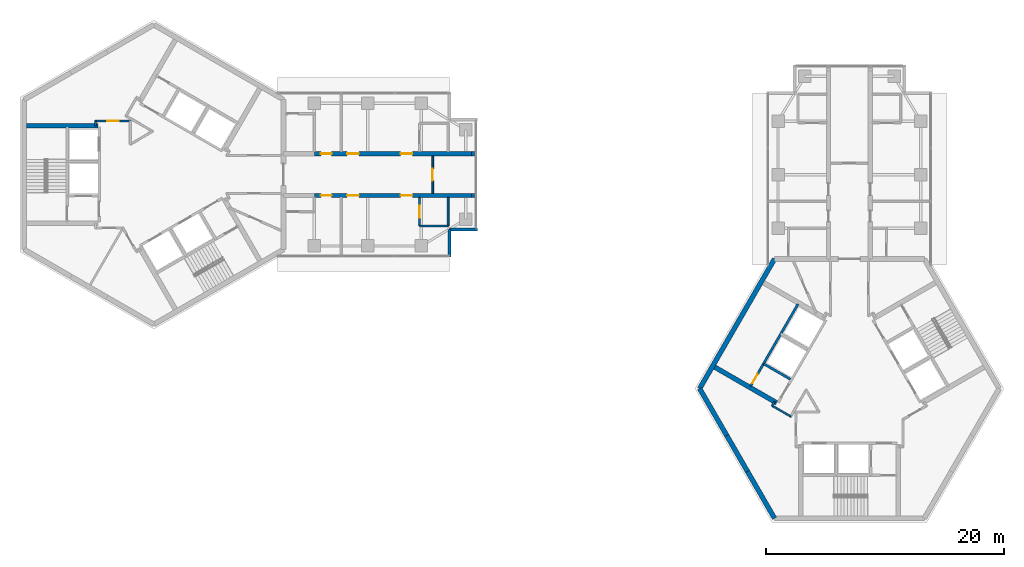
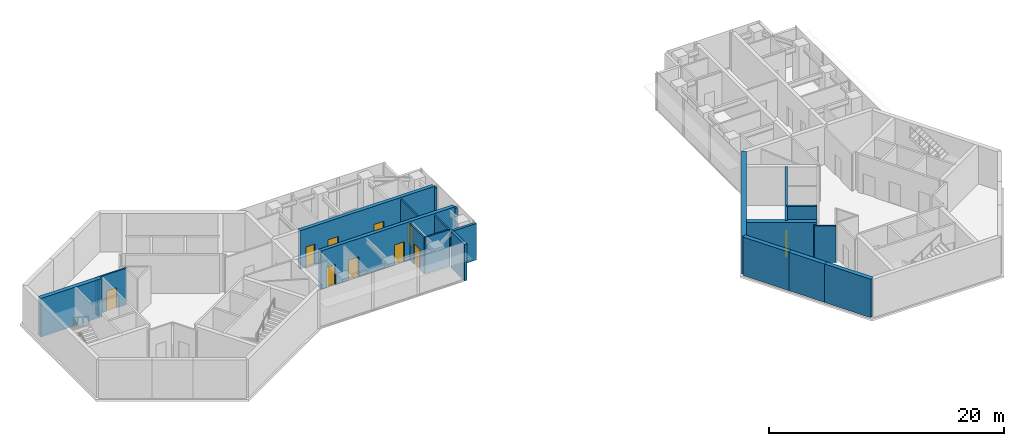
# One storey, part 6 of 11: 22 walls, 10 doors, 10 openings.
"""IFC4 building model written with IfcOpenShell, lengths in metres."""

from ifc_helpers import new_model, si_unit, direction, frame, frame_2d, origin, place, context, subcontext, project, spatial, rectangle, extrude, material, layer, layer_set, type_object, element, fill, save


model = new_model("IFC4")

# Units and contexts
model_context = context("Model", 3, precision=1e-05, world=origin(), true_north=direction((0.0, 1.0)))
body_context = subcontext(model_context, "Body", "Model", "MODEL_VIEW")
ifc_project = project(units=[si_unit("LENGTHUNIT", "METRE"), si_unit("AREAUNIT", "SQUARE_METRE"), si_unit("VOLUMEUNIT", "CUBIC_METRE"), si_unit("PLANEANGLEUNIT", "RADIAN"), si_unit("MASSUNIT", "GRAM", prefix="KILO")], contexts=[model_context])

# Site, building, storey
site_placement = place(None, origin())
site = spatial("IfcSite", under=ifc_project, at=site_placement, CompositionType="ELEMENT")
building_placement = place(site_placement, origin())
building = spatial("IfcBuilding", under=site, at=building_placement, Name="Upepo Twin Towers", CompositionType="ELEMENT")
storey_placement = place(building_placement, frame((0.0, 0.0, 247.5)))
storey = spatial("IfcBuildingStorey", under=building, at=storey_placement, Name="L60", CompositionType="ELEMENT", Elevation=247.5)

# Walls
ifc_material_1 = material(Name="Dense concrete blockwork", Category="masonry")
ifc_layer_1 = layer(ifc_material_1, 0.35009765625)
ifc_layer_set_1 = layer_set([ifc_layer_1], Name="Buttress closer 350, blockwork with fire-stopping to the curtain wall")
wall_type_1 = type_object("IfcWallType", Name="Buttress closer 350, blockwork with fire-stopping to the curtain wall", PredefinedType="PARTITIONING", material=ifc_layer_set_1)
for number, where, z_axis, x_axis, name in (
    (1, (26.699951171875, 1.75, 0.0), (0.0, 0.0, 1.0), (1.0, 0.0, 0.0), "T1 L60 wing A buttress closer L"),
    (2, (26.699951171875, -1.75, 0.0), (0.0, 0.0, 1.0), (1.0, 0.0, 0.0), "T1 L60 wing A buttress closer R"),
):
    element("IfcWall", number, at=place(storey_placement, frame(where, z_axis=z_axis, x_axis=x_axis)), inside=storey, type_object=wall_type_1, Name=name, PredefinedType="PARTITIONING", context=body_context, shape_type="SweptSolid", body=[
        extrude(rectangle(XDim=0.275146484375, YDim=0.35009765625, at=frame_2d((0.1376953125, 0.0))), origin(), (0.0, 0.0, 1.0), 3.800048828125),
    ])

# Wall, openings, doors
ifc_material_2 = material(Name="Concrete C60/75", Category="concrete")
ifc_layer_2 = layer(ifc_material_2, 0.35009765625)
ifc_layer_set_2 = layer_set([ifc_layer_2], Name="Concrete C60/75")
wall_type_2 = type_object("IfcWallType", Name="Buttress wall 350 RC", PredefinedType="SHEAR", material=ifc_layer_set_2)
wall_1_placement = place(storey_placement, frame((13.5, 1.75, 0.0), z_axis=(0.0, 0.0, 1.0), x_axis=(1.0, 0.0, 0.0)))
wall_1 = element("IfcWall", 3, at=wall_1_placement, inside=storey, type_object=wall_type_2, Name="T1 wing A buttress wall L part 2", PredefinedType="SHEAR", context=body_context, shape_type="SweptSolid", body=[
    extrude(rectangle(XDim=13.199951171875, YDim=0.35009765625, at=frame_2d((6.60009765625, 0.0))), origin(), (0.0, 0.0, 1.0), 4.0),
])
opening_1_placement = place(wall_1_placement, frame((0.550048828125, 0.0, 0.0)))
opening_1 = element("IfcOpeningElement", 4, at=opening_1_placement, cuts=wall_1, Name="Opening D11", PredefinedType="OPENING", context=body_context, shape_type="SweptSolid", body=[
    extrude(rectangle(XDim=0.89990234375, YDim=2.10009765625, at=frame_2d((0.449951171875, 1.050048828125))), frame((0.0, 0.18505859375, 0.0), z_axis=(0.0, -1.0, 0.0), x_axis=(1.0, 0.0, 0.0)), (0.0, 0.0, 1.0), 0.3701171875),
])
opening_2_placement = place(wall_1_placement, frame((2.75, 0.0, 0.0)))
opening_2 = element("IfcOpeningElement", 5, at=opening_2_placement, cuts=wall_1, Name="Opening D1", PredefinedType="OPENING", context=body_context, shape_type="SweptSolid", body=[
    extrude(rectangle(XDim=1.0, YDim=2.10009765625, at=frame_2d((0.5, 1.050048828125))), frame((0.0, 0.18505859375, 0.0), z_axis=(0.0, -1.0, 0.0), x_axis=(1.0, 0.0, 0.0)), (0.0, 0.0, 1.0), 0.3701171875),
])
opening_3_placement = place(wall_1_placement, frame((7.25, 0.0, 0.0)))
opening_3 = element("IfcOpeningElement", 6, at=opening_3_placement, cuts=wall_1, Name="Opening D1", PredefinedType="OPENING", context=body_context, shape_type="SweptSolid", body=[
    extrude(rectangle(XDim=1.0, YDim=2.10009765625, at=frame_2d((0.5, 1.050048828125))), frame((0.0, 0.18505859375, 0.0), z_axis=(0.0, -1.0, 0.0), x_axis=(1.0, 0.0, 0.0)), (0.0, 0.0, 1.0), 0.3701171875),
])
ifc_material_3 = material(Name="Timber doorset", Category="wood")
door_type_1 = type_object("IfcDoorType", Name="Room door 1000 FD30", OperationType="SINGLE_SWING_LEFT", PredefinedType="DOOR", material=ifc_material_3)
door_1_placement = place(opening_2_placement, origin())
door_1 = element("IfcDoor", 7, at=door_1_placement, inside=storey, type_object=door_type_1, Name="T1 L60 open-plan office door", OperationType="SINGLE_SWING_LEFT", OverallHeight=2.10009765625, OverallWidth=1.0, PredefinedType="DOOR", context=body_context, shape_type="SweptSolid", body=[
    extrude(rectangle(XDim=1.0, YDim=2.10009765625, at=frame_2d((0.5, 1.050048828125))), frame((0.0, 0.02490234375, 0.0), z_axis=(0.0, -1.0, 0.0), x_axis=(1.0, 0.0, 0.0)), (0.0, 0.0, 1.0), 0.050048828125),
])
fill(opening_2, door_1)
door_2_placement = place(opening_3_placement, origin())
door_2 = element("IfcDoor", 8, at=door_2_placement, inside=storey, type_object=door_type_1, Name="T1 L60 open-plan office door", OperationType="SINGLE_SWING_RIGHT", OverallHeight=2.10009765625, OverallWidth=1.0, PredefinedType="DOOR", context=body_context, shape_type="SweptSolid", body=[
    extrude(rectangle(XDim=1.0, YDim=2.10009765625, at=frame_2d((0.5, 1.050048828125))), frame((0.0, 0.02490234375, 0.0), z_axis=(0.0, -1.0, 0.0), x_axis=(1.0, 0.0, 0.0)), (0.0, 0.0, 1.0), 0.050048828125),
])
fill(opening_3, door_2)
ifc_material_4 = material(Name="Timber doorset", Category="wood")
door_type_2 = type_object("IfcDoorType", Name="Toilet door 900", OperationType="SINGLE_SWING_LEFT", PredefinedType="DOOR", material=ifc_material_4)
door_3_placement = place(opening_1_placement, origin())
door_3 = element("IfcDoor", 9, at=door_3_placement, inside=storey, type_object=door_type_2, Name="T1 L60 accessible wc door", OperationType="SINGLE_SWING_LEFT", OverallHeight=2.10009765625, OverallWidth=0.89990234375, PredefinedType="DOOR", context=body_context, shape_type="SweptSolid", body=[
    extrude(rectangle(XDim=0.89990234375, YDim=2.10009765625, at=frame_2d((0.449951171875, 1.050048828125))), frame((0.0, 0.02490234375, 0.0), z_axis=(0.0, -1.0, 0.0), x_axis=(1.0, 0.0, 0.0)), (0.0, 0.0, 1.0), 0.050048828125),
])
fill(opening_1, door_3)

wall_2_placement = place(storey_placement, frame((13.5, -1.75, 0.0), z_axis=(0.0, 0.0, 1.0), x_axis=(1.0, 0.0, 0.0)))
wall_2 = element("IfcWall", 10, at=wall_2_placement, inside=storey, type_object=wall_type_2, Name="T1 wing A buttress wall R part 2", PredefinedType="SHEAR", context=body_context, shape_type="SweptSolid", body=[
    extrude(rectangle(XDim=13.199951171875, YDim=0.35009765625, at=frame_2d((6.60009765625, 0.0))), origin(), (0.0, 0.0, 1.0), 4.0),
])
opening_4_placement = place(wall_2_placement, frame((0.550048828125, 0.0, 0.0)))
opening_4 = element("IfcOpeningElement", 11, at=opening_4_placement, cuts=wall_2, Name="Opening D11", PredefinedType="OPENING", context=body_context, shape_type="SweptSolid", body=[
    extrude(rectangle(XDim=0.89990234375, YDim=2.10009765625, at=frame_2d((0.449951171875, 1.050048828125))), frame((0.0, 0.18505859375, 0.0), z_axis=(0.0, -1.0, 0.0), x_axis=(1.0, 0.0, 0.0)), (0.0, 0.0, 1.0), 0.3701171875),
])
opening_5_placement = place(wall_2_placement, frame((2.75, 0.0, 0.0)))
opening_5 = element("IfcOpeningElement", 12, at=opening_5_placement, cuts=wall_2, Name="Opening D1", PredefinedType="OPENING", context=body_context, shape_type="SweptSolid", body=[
    extrude(rectangle(XDim=1.0, YDim=2.10009765625, at=frame_2d((0.5, 1.050048828125))), frame((0.0, 0.18505859375, 0.0), z_axis=(0.0, -1.0, 0.0), x_axis=(1.0, 0.0, 0.0)), (0.0, 0.0, 1.0), 0.3701171875),
])
opening_6_placement = place(wall_2_placement, frame((7.25, 0.0, 0.0)))
opening_6 = element("IfcOpeningElement", 13, at=opening_6_placement, cuts=wall_2, Name="Opening D1", PredefinedType="OPENING", context=body_context, shape_type="SweptSolid", body=[
    extrude(rectangle(XDim=1.0, YDim=2.10009765625, at=frame_2d((0.5, 1.050048828125))), frame((0.0, 0.18505859375, 0.0), z_axis=(0.0, -1.0, 0.0), x_axis=(1.0, 0.0, 0.0)), (0.0, 0.0, 1.0), 0.3701171875),
])
door_4_placement = place(opening_5_placement, origin())
door_4 = element("IfcDoor", 14, at=door_4_placement, inside=storey, type_object=door_type_1, Name="T1 L60 open-plan office door", OperationType="SINGLE_SWING_LEFT", OverallHeight=2.10009765625, OverallWidth=1.0, PredefinedType="DOOR", context=body_context, shape_type="SweptSolid", body=[
    extrude(rectangle(XDim=1.0, YDim=2.10009765625, at=frame_2d((0.5, 1.050048828125))), frame((0.0, 0.02490234375, 0.0), z_axis=(0.0, -1.0, 0.0), x_axis=(1.0, 0.0, 0.0)), (0.0, 0.0, 1.0), 0.050048828125),
])
fill(opening_5, door_4)
door_5_placement = place(opening_6_placement, origin())
door_5 = element("IfcDoor", 15, at=door_5_placement, inside=storey, type_object=door_type_1, Name="T1 L60 open-plan office door", OperationType="SINGLE_SWING_RIGHT", OverallHeight=2.10009765625, OverallWidth=1.0, PredefinedType="DOOR", context=body_context, shape_type="SweptSolid", body=[
    extrude(rectangle(XDim=1.0, YDim=2.10009765625, at=frame_2d((0.5, 1.050048828125))), frame((0.0, 0.02490234375, 0.0), z_axis=(0.0, -1.0, 0.0), x_axis=(1.0, 0.0, 0.0)), (0.0, 0.0, 1.0), 0.050048828125),
])
fill(opening_6, door_5)
door_6_placement = place(opening_4_placement, origin())
door_6 = element("IfcDoor", 16, at=door_6_placement, inside=storey, type_object=door_type_2, Name="T1 L60 toilets door", OperationType="SINGLE_SWING_LEFT", OverallHeight=2.10009765625, OverallWidth=0.89990234375, PredefinedType="DOOR", context=body_context, shape_type="SweptSolid", body=[
    extrude(rectangle(XDim=0.89990234375, YDim=2.10009765625, at=frame_2d((0.449951171875, 1.050048828125))), frame((0.0, 0.02490234375, 0.0), z_axis=(0.0, -1.0, 0.0), x_axis=(1.0, 0.0, 0.0)), (0.0, 0.0, 1.0), 0.050048828125),
])
fill(opening_4, door_6)

# Walls
ifc_material_5 = material(Name="Concrete C60/75", Category="concrete")
ifc_layer_3 = layer(ifc_material_5, 0.39990234375)
ifc_layer_set_3 = layer_set([ifc_layer_3], Name="Concrete C60/75")
wall_type_3 = type_object("IfcWallType", Name="Core wall 400 RC", PredefinedType="SHEAR", material=ifc_layer_set_3)
wall_3_placement = place(storey_placement, frame((52.2021484375, -7.091552734375, 0.0), z_axis=(0.0, 0.0, 1.0), x_axis=(-0.500005998175, -0.866021940709, 0.0)))
element("IfcWall", 17, at=wall_3_placement, inside=storey, type_object=wall_type_3, Name="T2 core wall 060", PredefinedType="SHEAR", context=body_context, shape_type="SweptSolid", body=[
    extrude(rectangle(XDim=12.595947265625, YDim=0.39990234375, at=frame_2d((6.2978515625, 0.0))), origin(), (0.0, 0.0, 1.0), 4.0),
])
wall_4_placement = place(storey_placement, frame((45.904052734375, -18.0, 0.0), z_axis=(0.0, 0.0, 1.0), x_axis=(0.500024481964, -0.866011268655, 0.0)))
element("IfcWall", 18, at=wall_4_placement, inside=storey, type_object=wall_type_3, Name="T2 core wall 120 R", PredefinedType="SHEAR", context=body_context, shape_type="SweptSolid", body=[
    extrude(rectangle(XDim=4.548095703125, YDim=0.39990234375, at=frame_2d((2.27392578125, 0.0))), origin(), (0.0, 0.0, 1.0), 4.0),
])
wall_5_placement = place(storey_placement, frame((48.17822265625, -21.938720703125, 0.0), z_axis=(0.0, 0.0, 1.0), x_axis=(0.500010275428, -0.866019471182, 0.0)))
element("IfcWall", 19, at=wall_5_placement, inside=storey, type_object=wall_type_3, Name="T2 core wall 120", PredefinedType="SHEAR", context=body_context, shape_type="SweptSolid", body=[
    extrude(rectangle(XDim=3.5, YDim=0.39990234375, at=frame_2d((1.75, 0.0))), origin(), (0.0, 0.0, 1.0), 4.0),
])
wall_6_placement = place(storey_placement, frame((49.92822265625, -24.9697265625, 0.0), z_axis=(0.0, 0.0, 1.0), x_axis=(0.499984222037, -0.866034513004, 0.0)))
element("IfcWall", 20, at=wall_6_placement, inside=storey, type_object=wall_type_3, Name="T2 core wall 120 L", PredefinedType="SHEAR", context=body_context, shape_type="SweptSolid", body=[
    extrude(rectangle(XDim=4.548095703125, YDim=0.39990234375, at=frame_2d((2.27392578125, 0.0))), origin(), (0.0, 0.0, 1.0), 4.0),
])
ifc_material_6 = material(Name="Blockwork with anodised aluminium cladding", Category="masonry")
ifc_layer_4 = layer(ifc_material_6, 0.25)
ifc_layer_set_4 = layer_set([ifc_layer_4], Name="Notch cladding wall 250, pale metal")
wall_type_4 = type_object("IfcWallType", Name="Notch cladding wall 250, pale metal", PredefinedType="STANDARD", material=ifc_layer_set_4)
for number, where, z_axis, x_axis, name in (
    (21, (24.875, -6.949951171875, 0.0), (0.0, 0.0, 1.0), (0.0, 1.0, 0.0), "T1 L60 wing A notch wall R1"),
    (22, (24.875, -4.625, 0.0), (0.0, 0.0, 1.0), (1.0, 0.0, 0.0), "T1 L60 wing A notch wall R2"),
):
    element("IfcWall", number, at=place(storey_placement, frame(where, z_axis=z_axis, x_axis=x_axis)), inside=storey, type_object=wall_type_4, Name=name, PredefinedType="STANDARD", context=body_context, shape_type="SweptSolid", body=[
        extrude(rectangle(XDim=2.324951171875, YDim=0.25, at=frame_2d((1.16259765625, 0.0))), origin(), (0.0, 0.0, 1.0), 3.800048828125),
    ])
ifc_material_7 = material(Name="Concrete C40/50", Category="concrete")
ifc_layer_5 = layer(ifc_material_7, 0.199951171875)
ifc_layer_set_5 = layer_set([ifc_layer_5], Name="Concrete C40/50")
wall_type_5 = type_object("IfcWallType", Name="Shaft wall 200 RC", PredefinedType="SHEAR", material=ifc_layer_set_5)
wall_7_placement = place(storey_placement, frame((53.52978515625, -17.208740234375, 0.0), z_axis=(0.0, 0.0, 1.0), x_axis=(-0.866062058628, 0.499936506574, 0.0)))
element("IfcWall", 23, at=wall_7_placement, inside=storey, type_object=wall_type_5, Name="T2 core W60 lobby wall", PredefinedType="SHEAR", context=body_context, shape_type="SweptSolid", body=[
    extrude(rectangle(XDim=2.599853515625, YDim=0.199951171875, at=frame_2d((1.2998046875, 0.0))), origin(), (0.0, 0.0, 1.0), 4.0),
])

# Wall, opening, door
wall_8_placement = place(storey_placement, frame((54.177978515625, -10.885986328125, 0.0), z_axis=(0.0, 0.0, 1.0), x_axis=(-0.49999894854, -0.866026010844, 0.0)))
wall_8 = element("IfcWall", 24, at=wall_8_placement, inside=storey, type_object=wall_type_5, Name="T2 core W60 stair wall", PredefinedType="SHEAR", context=body_context, shape_type="SweptSolid", body=[
    extrude(rectangle(XDim=8.0, YDim=0.199951171875, at=frame_2d((4.0, 0.0))), origin(), (0.0, 0.0, 1.0), 4.0),
])
opening_7_placement = place(wall_8_placement, frame((6.800048828125, 0.0, 0.0)))
opening_7 = element("IfcOpeningElement", 25, at=opening_7_placement, cuts=wall_8, Name="Opening D9", PredefinedType="OPENING", context=body_context, shape_type="SweptSolid", body=[
    extrude(rectangle(XDim=0.89990234375, YDim=2.10009765625, at=frame_2d((0.449951171875, 1.050048828125))), frame((0.0, 0.10986328125, 0.0), z_axis=(0.0, -1.0, 0.0), x_axis=(1.0, 0.0, 0.0)), (0.0, 0.0, 1.0), 0.219970703125),
])
ifc_material_8 = material(Name="Timber doorset", Category="wood")
door_type_3 = type_object("IfcDoorType", Name="Riser door 900 FD60", OperationType="SINGLE_SWING_LEFT", PredefinedType="DOOR", material=ifc_material_8)
door_7_placement = place(opening_7_placement, origin())
door_7 = element("IfcDoor", 26, at=door_7_placement, inside=storey, type_object=door_type_3, Name="T2 L60 riser door", OperationType="SINGLE_SWING_RIGHT", OverallHeight=2.10009765625, OverallWidth=0.89990234375, PredefinedType="DOOR", context=body_context, shape_type="SweptSolid", body=[
    extrude(rectangle(XDim=0.89990234375, YDim=2.10009765625, at=frame_2d((0.449951171875, 1.050048828125))), frame((0.0, 0.02490234375, 0.0), z_axis=(0.0, -1.0, 0.0), x_axis=(1.0, 0.0, 0.0)), (0.0, 0.0, 1.0), 0.050048828125),
])
fill(opening_7, door_7)

# Walls
ifc_material_9 = material(Name="Concrete C40/50", Category="concrete")
ifc_layer_6 = layer(ifc_material_9, 0.39990234375)
ifc_layer_set_6 = layer_set([ifc_layer_6], Name="Concrete C40/50")
wall_type_6 = type_object("IfcWallType", Name="Shaft wall 400 RC", PredefinedType="SHEAR", material=ifc_layer_set_6)
for number, where, z_axis, x_axis, name in (
    (27, (-4.699951171875, 4.10009765625, 0.0), (0.0, 0.0, 1.0), (-1.0, 0.0, 0.0), "T1 core W180 side wall S"),
    (28, (52.379638671875, -19.20068359375, 0.0), (0.0, 0.0, 1.0), (-0.866026570101, 0.499997979876, 0.0), "T2 core W60 side wall N"),
):
    element("IfcWall", number, at=place(storey_placement, frame(where, z_axis=z_axis, x_axis=x_axis)), inside=storey, type_object=wall_type_6, Name=name, PredefinedType="SHEAR", context=body_context, shape_type="SweptSolid", body=[
        extrude(rectangle(XDim=6.00830078125, YDim=0.39990234375, at=frame_2d((3.004150390625, 0.0))), origin(), (0.0, 0.0, 1.0), 4.0),
    ])
ifc_material_10 = material(Name="Gypsum board on steel studs", Category="steel")
ifc_layer_7 = layer(ifc_material_10, 0.14990234375)
ifc_layer_set_7 = layer_set([ifc_layer_7], Name="Teaching partition 150 acoustic")
wall_type_7 = type_object("IfcWallType", Name="Teaching partition 150 acoustic", PredefinedType="PARTITIONING", material=ifc_layer_set_7)
wall_9_placement = place(storey_placement, frame((22.35009765625, -4.324951171875, 0.0), z_axis=(0.0, 0.0, 1.0), x_axis=(1.0, 0.0, 0.0)))
element("IfcWall", 29, at=wall_9_placement, inside=storey, type_object=wall_type_7, Name="T1 inner room partition AR at 22.35", PredefinedType="PARTITIONING", context=body_context, shape_type="SweptSolid", body=[
    extrude(rectangle(XDim=2.39990234375, YDim=0.14990234375, at=frame_2d((1.199951171875, 0.0))), origin(), (0.0, 0.0, 1.0), 3.800048828125),
])

# Wall, opening, door
wall_10_placement = place(storey_placement, frame((22.35009765625, -1.925048828125, 0.0), z_axis=(0.0, 0.0, 1.0), x_axis=(0.0, -1.0, 0.0)))
wall_10 = element("IfcWall", 30, at=wall_10_placement, inside=storey, type_object=wall_type_7, Name="T1 inner room partition AR end at 22.35", PredefinedType="PARTITIONING", context=body_context, shape_type="SweptSolid", body=[
    extrude(rectangle(XDim=2.39990234375, YDim=0.14990234375, at=frame_2d((1.199951171875, 0.0))), origin(), (0.0, 0.0, 1.0), 3.800048828125),
])
opening_8_placement = place(wall_10_placement, frame((0.699951171875, 0.0, 0.0)))
opening_8 = element("IfcOpeningElement", 31, at=opening_8_placement, cuts=wall_10, Name="Opening D1", PredefinedType="OPENING", context=body_context, shape_type="SweptSolid", body=[
    extrude(rectangle(XDim=1.0, YDim=2.10009765625, at=frame_2d((0.5, 1.050048828125))), frame((0.0, 0.0849609375, 0.0), z_axis=(0.0, -1.0, 0.0), x_axis=(1.0, 0.0, 0.0)), (0.0, 0.0, 1.0), 0.169921875),
])
door_8_placement = place(opening_8_placement, origin())
door_8 = element("IfcDoor", 32, at=door_8_placement, inside=storey, type_object=door_type_1, Name="T1 L60 inner room door", OperationType="SINGLE_SWING_LEFT", OverallHeight=2.10009765625, OverallWidth=1.0, PredefinedType="DOOR", context=body_context, shape_type="SweptSolid", body=[
    extrude(rectangle(XDim=1.0, YDim=2.10009765625, at=frame_2d((0.5, 1.050048828125))), frame((0.0, 0.02490234375, 0.0), z_axis=(0.0, -1.0, 0.0), x_axis=(1.0, 0.0, 0.0)), (0.0, 0.0, 1.0), 0.050048828125),
])
fill(opening_8, door_8)

# Walls
wall_11_placement = place(storey_placement, frame((24.75, -1.925048828125, 0.0), z_axis=(0.0, 0.0, 1.0), x_axis=(0.0, -1.0, 0.0)))
element("IfcWall", 33, at=wall_11_placement, inside=storey, type_object=wall_type_7, Name="T1 inner room partition AR end at 24.75", PredefinedType="PARTITIONING", context=body_context, shape_type="SweptSolid", body=[
    extrude(rectangle(XDim=2.39990234375, YDim=0.14990234375, at=frame_2d((1.199951171875, 0.0))), origin(), (0.0, 0.0, 1.0), 3.800048828125),
])
wall_12_placement = place(storey_placement, frame((-4.89990234375, 4.090087890625, 0.0), z_axis=(0.0, 0.0, 1.0), x_axis=(0.0, 1.0, 0.0)))
element("IfcWall", 34, at=wall_12_placement, inside=storey, type_object=wall_type_7, Name="T1 core room partition 6", PredefinedType="PARTITIONING", context=body_context, shape_type="SweptSolid", body=[
    extrude(rectangle(XDim=0.429931640625, YDim=0.14990234375, at=frame_2d((0.21484375, 0.0))), origin(), (0.0, 0.0, 1.0), 3.800048828125),
])

# Wall, opening, door
wall_13_placement = place(storey_placement, frame((-4.919921875, 4.5, 0.0), z_axis=(0.0, 0.0, 1.0), x_axis=(1.0, 0.0, 0.0)))
wall_13 = element("IfcWall", 35, at=wall_13_placement, inside=storey, type_object=wall_type_7, Name="T1 core room partition 7", PredefinedType="PARTITIONING", context=body_context, shape_type="SweptSolid", body=[
    extrude(rectangle(XDim=2.96484375, YDim=0.14990234375, at=frame_2d((1.482421875, 0.0))), origin(), (0.0, 0.0, 1.0), 3.800048828125),
])
opening_9_placement = place(wall_13_placement, frame((0.982421875, 0.0, 0.0)))
opening_9 = element("IfcOpeningElement", 36, at=opening_9_placement, cuts=wall_13, Name="Opening D1", PredefinedType="OPENING", context=body_context, shape_type="SweptSolid", body=[
    extrude(rectangle(XDim=1.0, YDim=2.10009765625, at=frame_2d((0.5, 1.050048828125))), frame((0.0, 0.0849609375, 0.0), z_axis=(0.0, -1.0, 0.0), x_axis=(1.0, 0.0, 0.0)), (0.0, 0.0, 1.0), 0.169921875),
])
door_9_placement = place(opening_9_placement, origin())
door_9 = element("IfcDoor", 37, at=door_9_placement, inside=storey, type_object=door_type_1, Name="T1 L60 core room door K6", OperationType="SINGLE_SWING_RIGHT", OverallHeight=2.10009765625, OverallWidth=1.0, PredefinedType="DOOR", context=body_context, shape_type="SweptSolid", body=[
    extrude(rectangle(XDim=1.0, YDim=2.10009765625, at=frame_2d((0.5, 1.050048828125))), frame((0.0, 0.02490234375, 0.0), z_axis=(0.0, -1.0, 0.0), x_axis=(1.0, 0.0, 0.0)), (0.0, 0.0, 1.0), 0.050048828125),
])
fill(opening_9, door_9)

wall_14_placement = place(storey_placement, frame((23.449951171875, -1.574951171875, 0.0), z_axis=(0.0, 0.0, 1.0), x_axis=(0.0, 1.0, 0.0)))
wall_14 = element("IfcWall", 38, at=wall_14_placement, inside=storey, type_object=wall_type_7, Name="T1 corridor end partition A at 23.45", PredefinedType="PARTITIONING", context=body_context, shape_type="SweptSolid", body=[
    extrude(rectangle(XDim=3.14990234375, YDim=0.14990234375, at=frame_2d((1.574951171875, 0.0))), origin(), (0.0, 0.0, 1.0), 3.800048828125),
])
opening_10_placement = place(wall_14_placement, frame((1.074951171875, 0.0, 0.0)))
opening_10 = element("IfcOpeningElement", 39, at=opening_10_placement, cuts=wall_14, Name="Opening D1", PredefinedType="OPENING", context=body_context, shape_type="SweptSolid", body=[
    extrude(rectangle(XDim=1.0, YDim=2.10009765625, at=frame_2d((0.5, 1.050048828125))), frame((0.0, 0.0849609375, 0.0), z_axis=(0.0, -1.0, 0.0), x_axis=(1.0, 0.0, 0.0)), (0.0, 0.0, 1.0), 0.169921875),
])
door_10_placement = place(opening_10_placement, origin())
door_10 = element("IfcDoor", 40, at=door_10_placement, inside=storey, type_object=door_type_1, Name="T1 L60 breakout study room door", OperationType="SINGLE_SWING_LEFT", OverallHeight=2.10009765625, OverallWidth=1.0, PredefinedType="DOOR", context=body_context, shape_type="SweptSolid", body=[
    extrude(rectangle(XDim=1.0, YDim=2.10009765625, at=frame_2d((0.5, 1.050048828125))), frame((0.0, 0.02490234375, 0.0), z_axis=(0.0, -1.0, 0.0), x_axis=(1.0, 0.0, 0.0)), (0.0, 0.0, 1.0), 0.050048828125),
])
fill(opening_10, door_10)

# Walls
wall_15_placement = place(storey_placement, frame((53.58251953125, -20.357177734375, 0.0), z_axis=(0.0, 0.0, 1.0), x_axis=(-0.865955748254, 0.500120627516, 0.0)))
element("IfcWall", 41, at=wall_15_placement, inside=storey, type_object=wall_type_7, Name="T2 core room partition 7", PredefinedType="PARTITIONING", context=body_context, shape_type="SweptSolid", body=[
    extrude(rectangle(XDim=1.83984375, YDim=0.14990234375, at=frame_2d((0.919921875, 0.0))), origin(), (0.0, 0.0, 1.0), 3.800048828125),
])
wall_16_placement = place(storey_placement, frame((51.99658203125, -19.46435546875, 0.0), z_axis=(0.0, 0.0, 1.0), x_axis=(0.499804398801, 0.866138304741, 0.0)))
element("IfcWall", 42, at=wall_16_placement, inside=storey, type_object=wall_type_7, Name="T2 core room partition 8", PredefinedType="PARTITIONING", context=body_context, shape_type="SweptSolid", body=[
    extrude(rectangle(XDim=0.429931640625, YDim=0.14990234375, at=frame_2d((0.21484375, 0.0))), origin(), (0.0, 0.0, 1.0), 3.800048828125),
])

save(model, "model.ifc")
